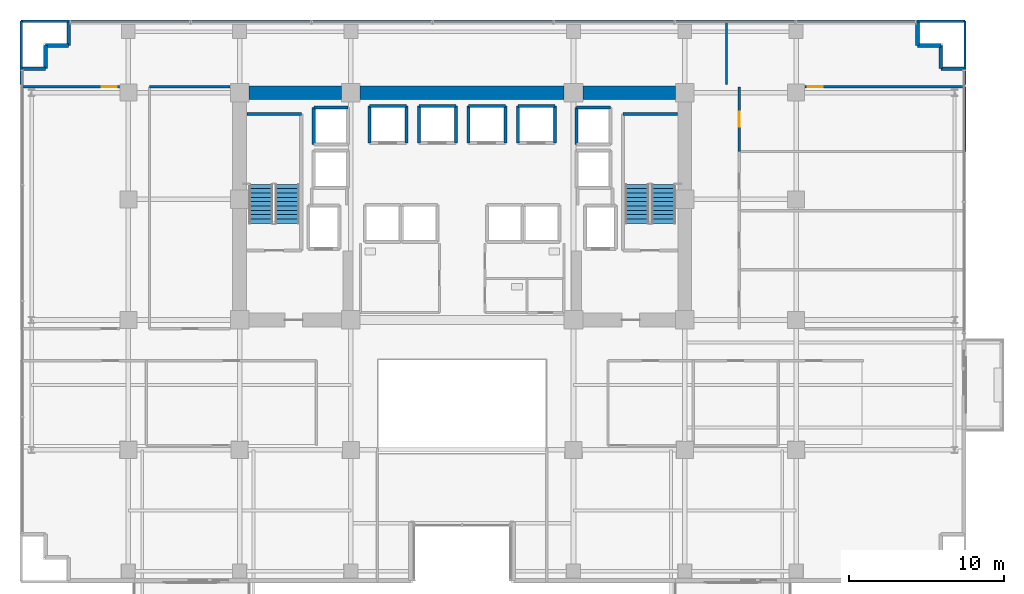
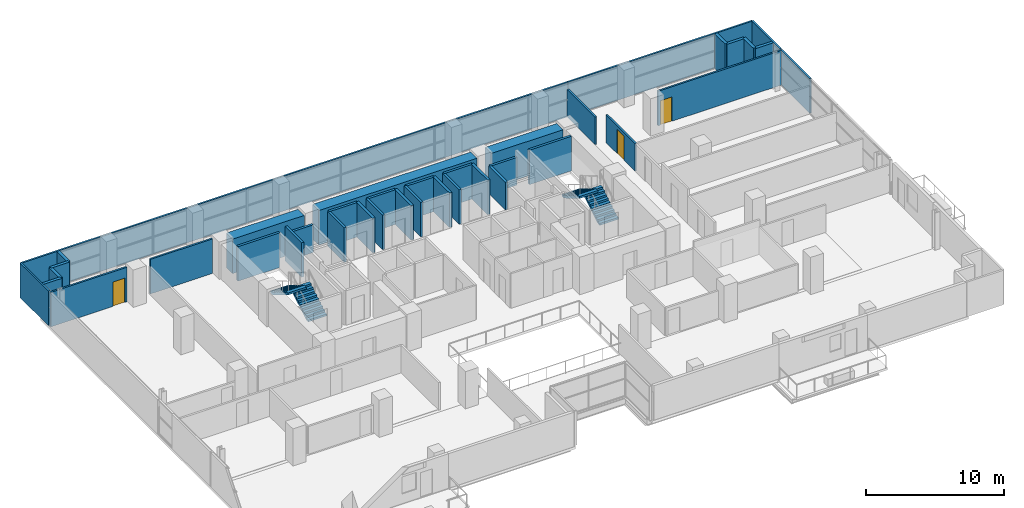
# One storey, part 22 of 27: 39 walls, 4 stair flights, 3 doors, 3 openings, 2 elements without a shape of their own.
"""IFC4 building model written with IfcOpenShell, lengths in metres."""

import ifcopenshell
import ifcopenshell.guid

model = None  # the IFC model being written
_history = None  # IfcOwnerHistory: only IFC2X3 demands one
_inside = {}  # id of a spatial element -> (the spatial element, [elements in it])
_under = {}  # id of a project, library or spatial element -> (it, [spatial elements below it])
_declared = {}  # id of a project -> (the project, [libraries it declares])
_typed = {}  # id of a type object -> (the type object, [elements of that type])
_made_of = {}  # id of a material, layer set ... -> (it, [elements and type objects made of it])


def new_model(schema):
    """Start an empty IFC model of exactly this schema.

    Asked for "IFC4X3", IfcOpenShell would pick the latest addendum, in which some entities
    have other attributes; the version numbers below select the first issue.
    IFC2X3 requires an IfcOwnerHistory on every rooted entity: one is made here for all.
    """
    global model, _history
    if schema == "IFC4X3":
        model = ifcopenshell.file(schema_version=(4, 3, 0, 0))
    else:
        model = ifcopenshell.file(schema=schema)
    _inside.clear()
    _under.clear()
    _declared.clear()
    _typed.clear()
    _made_of.clear()
    _history = None
    if model.schema == "IFC2X3":
        org = make("IfcOrganization", Name="unknown")
        user = make(
            "IfcPersonAndOrganization",
            ThePerson=make("IfcPerson", FamilyName="unknown"),
            TheOrganization=org,
        )
        app = make(
            "IfcApplication",
            ApplicationDeveloper=org,
            Version="unknown",
            ApplicationFullName="unknown",
            ApplicationIdentifier="unknown",
        )
        _history = make(
            "IfcOwnerHistory",
            OwningUser=user,
            OwningApplication=app,
            ChangeAction="ADDED",
            CreationDate=0,
        )
    return model


def make(cls, **values):
    """One entity of the class cls with the attributes given. An attribute that is None is left unset."""
    return model.create_entity(
        cls, **{name: value for name, value in values.items() if value is not None}
    )


def rooted(cls, **values):
    """An entity with a GlobalId (a new one), such as an element, a storey or a relation."""
    return make(cls, GlobalId=ifcopenshell.guid.new(), OwnerHistory=_history, **values)


def si_unit(unit_type, name, prefix=None):
    """IfcSIUnit, for example si_unit("LENGTHUNIT", "METRE", prefix="MILLI")."""
    return make("IfcSIUnit", UnitType=unit_type, Prefix=prefix, Name=name)


def assignment(units):
    """IfcUnitAssignment: the units of a project."""
    return None if units is None else make("IfcUnitAssignment", Units=units)


def point(xyz):
    """IfcCartesianPoint."""
    return None if xyz is None else make("IfcCartesianPoint", Coordinates=xyz)


def direction(xyz):
    """IfcDirection."""
    return None if xyz is None else make("IfcDirection", DirectionRatios=xyz)


def frame(location, z_axis=None, x_axis=None):
    """IfcAxis2Placement3D, a coordinate frame: its origin and axes. An axis left out is left unset."""
    return make(
        "IfcAxis2Placement3D",
        Location=point(location),
        Axis=direction(z_axis),
        RefDirection=direction(x_axis),
    )


def frame_2d(location, x_axis=None):
    """IfcAxis2Placement2D, a coordinate frame in the plane: its origin and x axis."""
    return make(
        "IfcAxis2Placement2D", Location=point(location), RefDirection=direction(x_axis)
    )


def origin():
    """The frame at (0, 0, 0) with its axes left unset."""
    return frame((0.0, 0.0, 0.0))


def place(relative_to, where):
    """IfcLocalPlacement: puts the frame where relative to a parent placement (None: the world)."""
    return make(
        "IfcLocalPlacement", PlacementRelTo=relative_to, RelativePlacement=where
    )


def context(
    kind, dimensions, precision=None, world=None, true_north=None, identifier=None
):
    """IfcGeometricRepresentationContext, for example the 3D "Model" context."""
    return make(
        "IfcGeometricRepresentationContext",
        ContextIdentifier=identifier,
        ContextType=kind,
        CoordinateSpaceDimension=dimensions,
        Precision=precision,
        WorldCoordinateSystem=world,
        TrueNorth=true_north,
    )


def subcontext(parent, identifier, kind, view, scale=None):
    """IfcGeometricRepresentationSubContext, for example "Body" below "Model"."""
    return make(
        "IfcGeometricRepresentationSubContext",
        ContextIdentifier=identifier,
        ContextType=kind,
        ParentContext=parent,
        TargetScale=scale,
        TargetView=view,
    )


def project(units=None, contexts=None):
    """IfcProject with its units and contexts."""
    return rooted(
        "IfcProject",
        Name="project",
        RepresentationContexts=contexts,
        UnitsInContext=assignment(units),
    )


def spatial(cls, under=None, at=None, **own):
    """A site, building, storey or space (cls), placed at a placement, below another one or the project."""
    s = rooted(cls, ObjectPlacement=at, **own)
    if under is not None:
        _under.setdefault(under.id(), (under, []))[1].append(s)
    return s


def polyline(points):
    """IfcPolyline through the points."""
    return make("IfcPolyline", Points=[point(p) for p in points])


def profile(cls, at=None, kind="AREA", **sizes):
    """A parametric profile (cls). Its sizes go by their IFC names, for example OverallWidth=200.0."""
    return make(cls, ProfileType=kind, Position=at, **sizes)


def rectangle(**sizes):
    """IfcRectangleProfileDef."""
    return profile("IfcRectangleProfileDef", **sizes)


def outline(outer, holes=None, kind="AREA"):
    """IfcArbitraryClosedProfileDef: a profile drawn as a closed curve; with holes, ...WithVoids."""
    if holes is None:
        return make("IfcArbitraryClosedProfileDef", ProfileType=kind, OuterCurve=outer)
    return make(
        "IfcArbitraryProfileDefWithVoids",
        ProfileType=kind,
        OuterCurve=outer,
        InnerCurves=holes,
    )


def extrude(swept, where, along, depth):
    """IfcExtrudedAreaSolid: the profile swept, set in the frame where, extruded along a direction by depth."""
    return make(
        "IfcExtrudedAreaSolid",
        SweptArea=swept,
        Position=where,
        ExtrudedDirection=direction(along),
        Depth=depth,
    )


def shape(context_of_items, identifier, shape_type, items):
    """IfcShapeRepresentation: the items that make up one representation, for example the "Body"."""
    return make(
        "IfcShapeRepresentation",
        ContextOfItems=context_of_items,
        RepresentationIdentifier=identifier,
        RepresentationType=shape_type,
        Items=items,
    )


def source(mapping_origin, context_of_items, identifier, shape_type, items):
    """IfcRepresentationMap: a shape defined once, which mapped items show again and again."""
    return make(
        "IfcRepresentationMap",
        MappingOrigin=mapping_origin,
        MappedRepresentation=shape(context_of_items, identifier, shape_type, items),
    )


def transform(
    local_origin,
    x_axis=None,
    y_axis=None,
    z_axis=None,
    scale=None,
    scale2=None,
    scale3=None,
    uniform=True,
):
    """IfcCartesianTransformationOperator3D, or its non-uniform kind. x_axis, y_axis, z_axis: its Axis1, 2, 3."""
    if uniform:
        return make(
            "IfcCartesianTransformationOperator3D",
            Axis1=direction(x_axis),
            Axis2=direction(y_axis),
            LocalOrigin=point(local_origin),
            Scale=scale,
            Axis3=direction(z_axis),
        )
    return make(
        "IfcCartesianTransformationOperator3DnonUniform",
        Axis1=direction(x_axis),
        Axis2=direction(y_axis),
        LocalOrigin=point(local_origin),
        Scale=scale,
        Axis3=direction(z_axis),
        Scale2=scale2,
        Scale3=scale3,
    )


def mapped(mapping_source, mapping_target):
    """IfcMappedItem: shows the shape of a source again, moved by a transform."""
    return make(
        "IfcMappedItem", MappingSource=mapping_source, MappingTarget=mapping_target
    )


def material(Name=None, Category=None):
    """IfcMaterial."""
    return make("IfcMaterial", Name=Name, Category=Category)


def layer(
    of_material, thickness, ventilated=None, Name=None, Category=None, Priority=None
):
    """IfcMaterialLayer: one layer of a wall or slab, of a material (None: an air gap)."""
    return make(
        "IfcMaterialLayer",
        Material=of_material,
        LayerThickness=thickness,
        IsVentilated=ventilated,
        Name=Name,
        Category=Category,
        Priority=Priority,
    )


def layer_set(layers, Name=None):
    """IfcMaterialLayerSet."""
    return make("IfcMaterialLayerSet", MaterialLayers=layers, LayerSetName=Name)


def made_of(thing, what):
    """Note that an element or type object is made of a material, layer set ...; save() writes the relation."""
    if what is not None:
        _made_of.setdefault(what.id(), (what, []))[1].append(thing)
    return thing


def type_object(cls, material=None, **own):
    """A type object (cls), such as IfcWallType, which elements share."""
    return made_of(rooted(cls, **own), material)


def element(
    cls,
    number,
    at=None,
    inside=None,
    cuts=None,
    type_object=None,
    material=None,
    context=None,
    identifier="Body",
    shape_type=None,
    held_by="IfcProductDefinitionShape",
    body=None,
    shapes=None,
    **own,
):
    """One element of the class cls, such as IfcWall. Its Tag is "e" and its number.

    at: its placement. inside: the storey or other place that contains it. cuts: it is an
    opening in that element (IfcRelVoidsElement). A single representation is given by context,
    identifier, shape_type and body (its items); several are given by shapes. held_by: the class
    of the entity that holds the representations. save() writes the other relations.
    """
    e = rooted(cls, Tag="e%d" % number, ObjectPlacement=at, **own)
    if body is not None:
        shapes = [shape(context, identifier, shape_type, body)]
    if shapes is not None:
        e.Representation = make(held_by, Representations=shapes)
    if inside is not None:
        _inside.setdefault(inside.id(), (inside, []))[1].append(e)
    if cuts is not None:
        rooted(
            "IfcRelVoidsElement", RelatingBuildingElement=cuts, RelatedOpeningElement=e
        )
    if type_object is not None:
        _typed.setdefault(type_object.id(), (type_object, []))[1].append(e)
    return made_of(e, material)


def fill(opening, filler):
    """IfcRelFillsElement: the door or window that sits in an opening."""
    return rooted(
        "IfcRelFillsElement",
        RelatingOpeningElement=opening,
        RelatedBuildingElement=filler,
    )


def aggregate(whole, parts):
    """IfcRelAggregates: a whole, such as a stair, and the parts it consists of."""
    return rooted("IfcRelAggregates", RelatingObject=whole, RelatedObjects=parts)


def save(model, path):
    """Write the relations noted so far, then the file.

    IfcRelAggregates (storeys below a building ...), IfcRelContainedInSpatialStructure (elements
    in a storey), IfcRelDefinesByType, IfcRelAssociatesMaterial and IfcRelDeclares: one each for
    every whole, place, type object, material and project.
    """
    for whole, parts in _under.values():
        aggregate(whole, parts)
    for where, things in _inside.values():
        rooted(
            "IfcRelContainedInSpatialStructure",
            RelatedElements=things,
            RelatingStructure=where,
        )
    for kind, things in _typed.values():
        rooted("IfcRelDefinesByType", RelatedObjects=things, RelatingType=kind)
    for what, things in _made_of.values():
        rooted("IfcRelAssociatesMaterial", RelatedObjects=things, RelatingMaterial=what)
    for by, libraries in _declared.values():
        rooted("IfcRelDeclares", RelatingContext=by, RelatedDefinitions=libraries)
    model.write(path)


model = new_model("IFC4")

# Units and contexts
model_context = context("Model", 3, precision=1e-05, world=origin(), true_north=direction((0.0, 1.0)))
body_context = subcontext(model_context, "Body", "Model", "MODEL_VIEW")
ifc_project = project(units=[si_unit("LENGTHUNIT", "METRE"), si_unit("AREAUNIT", "SQUARE_METRE"), si_unit("VOLUMEUNIT", "CUBIC_METRE"), si_unit("PLANEANGLEUNIT", "RADIAN"), si_unit("MASSUNIT", "GRAM", prefix="KILO")], contexts=[model_context])

# Site, building, storey
site_placement = place(None, origin())
site = spatial("IfcSite", under=ifc_project, at=site_placement, CompositionType="ELEMENT")
building_placement = place(site_placement, origin())
building = spatial("IfcBuilding", under=site, at=building_placement, Name="Zarnakvel Exchange Tower", CompositionType="ELEMENT")
storey_placement = place(building_placement, frame((0.0, 0.0, 76.89990234375)))
storey = spatial("IfcBuildingStorey", under=building, at=storey_placement, Name="L21", CompositionType="ELEMENT", Elevation=76.89990234375)

# Walls
ifc_material_1 = material(Name="Concrete C80/95", Category="concrete")
ifc_layer_1 = layer(ifc_material_1, 0.89990234375)
ifc_layer_set_1 = layer_set([ifc_layer_1], Name="Concrete C80/95")
wall_type_1 = type_object("IfcWallType", Name="CW-C1", PredefinedType="SHEAR", material=ifc_layer_set_1)
wall_1_placement = place(storey_placement, frame((-13.800048828125, 13.5, 0.0), z_axis=(0.0, 0.0, 1.0), x_axis=(1.0, 0.0, 0.0)))
element("IfcWall", 1, at=wall_1_placement, inside=storey, type_object=wall_type_1, Name="L21 Rear Core Shear Wall N1 (CW-C1)", PredefinedType="SHEAR", context=body_context, shape_type="SweptSolid", body=[
    extrude(rectangle(XDim=6.0, YDim=0.89990234375, at=frame_2d((3.0, 0.0))), origin(), (0.0, 0.0, 1.0), 3.050048828125),
])
wall_2_placement = place(storey_placement, frame((-6.60009765625, 13.5, 0.0), z_axis=(0.0, 0.0, 1.0), x_axis=(1.0, 0.0, 0.0)))
element("IfcWall", 2, at=wall_2_placement, inside=storey, type_object=wall_type_1, Name="L21 Rear Core Shear Wall N2 (CW-C1)", PredefinedType="SHEAR", context=body_context, shape_type="SweptSolid", body=[
    extrude(rectangle(XDim=13.2001953125, YDim=0.89990234375, at=frame_2d((6.60009765625, 0.0))), origin(), (0.0, 0.0, 1.0), 3.050048828125),
])
wall_3_placement = place(storey_placement, frame((7.800048828125, 13.5, 0.0), z_axis=(0.0, 0.0, 1.0), x_axis=(1.0, 0.0, 0.0)))
element("IfcWall", 3, at=wall_3_placement, inside=storey, type_object=wall_type_1, Name="L21 Rear Core Shear Wall N3 (CW-C1)", PredefinedType="SHEAR", context=body_context, shape_type="SweptSolid", body=[
    extrude(rectangle(XDim=6.0, YDim=0.89990234375, at=frame_2d((3.0, 0.0))), origin(), (0.0, 0.0, 1.0), 3.050048828125),
])
ifc_material_2 = material(Name="Precast concrete C40/50", Category="concrete")
ifc_layer_2 = layer(ifc_material_2, 0.239990234375)
ifc_layer_set_2 = layer_set([ifc_layer_2], Name="Precast concrete C40/50")
wall_type_2 = type_object("IfcWallType", Name="EW-02", PredefinedType="SOLIDWALL", material=ifc_layer_set_2)
for number, where, z_axis, x_axis, name in (
    (4, (-26.9599609375, 15.06005859375, 0.0), (0.0, 0.0, 1.0), (-1.0, 0.0, 0.0), "L21 Exterior Precast Spandrel Wall EWC-L21-01 (EW-02)"),
    (5, (-26.9599609375, 16.56005859375, 0.0), (0.0, 0.0, 1.0), (0.0, -1.0, 0.0), "L21 Exterior Precast Spandrel Wall EWC-L21-02 (EW-02)"),
    (6, (-25.4599609375, 16.56005859375, 0.0), (0.0, 0.0, 1.0), (-1.0, 0.0, 0.0), "L21 Exterior Precast Spandrel Wall EWC-L21-03 (EW-02)"),
    (7, (-25.4599609375, 18.06005859375, 0.0), (0.0, 0.0, 1.0), (0.0, -1.0, 0.0), "L21 Exterior Precast Spandrel Wall EWC-L21-04 (EW-02)"),
    (8, (29.4599609375, 16.56005859375, 0.0), (0.0, 0.0, 1.0), (0.0, 1.0, 0.0), "L21 Exterior Precast Spandrel Wall EWC-L21-05 (EW-02)"),
    (9, (30.9599609375, 16.56005859375, 0.0), (0.0, 0.0, 1.0), (-1.0, 0.0, 0.0), "L21 Exterior Precast Spandrel Wall EWC-L21-06 (EW-02)"),
    (10, (30.9599609375, 15.06005859375, 0.0), (0.0, 0.0, 1.0), (0.0, 1.0, 0.0), "L21 Exterior Precast Spandrel Wall EWC-L21-07 (EW-02)"),
    (11, (32.4599609375, 15.06005859375, 0.0), (0.0, 0.0, 1.0), (-1.0, 0.0, 0.0), "L21 Exterior Precast Spandrel Wall EWC-L21-08 (EW-02)"),
):
    element("IfcWall", number, at=place(storey_placement, frame(where, z_axis=z_axis, x_axis=x_axis)), inside=storey, type_object=wall_type_2, Name=name, PredefinedType="SOLIDWALL", context=body_context, shape_type="SweptSolid", body=[
        extrude(rectangle(XDim=1.5, YDim=0.239990234375, at=frame_2d((0.75, 0.0))), origin(), (0.0, 0.0, 1.0), 3.050048828125),
    ])

# Wall, opening, door
ifc_material_3 = material(Name="Fire-Rated Gypsum Stud Partition", Category="gypsum")
ifc_layer_3 = layer(ifc_material_3, 0.14990234375)
ifc_layer_set_3 = layer_set([ifc_layer_3], Name="Fire-Rated Gypsum Stud Partition")
wall_type_3 = type_object("IfcWallType", Name="PT-01", PredefinedType="PARTITIONING", material=ifc_layer_set_3)
wall_4_placement = place(storey_placement, frame((-28.530029296875, 13.8798828125, 0.0), z_axis=(0.0, 0.0, 1.0), x_axis=(1.0, 0.0, 0.0)))
wall_4 = element("IfcWall", 12, at=wall_4_placement, inside=storey, type_object=wall_type_3, Name="L21 Partition Wall PWALL-L21-043 (PT-01)", PredefinedType="PARTITIONING", context=body_context, shape_type="SweptSolid", body=[
    extrude(rectangle(XDim=6.360107421875, YDim=0.14990234375, at=frame_2d((3.18017578125, 0.0))), origin(), (0.0, 0.0, 1.0), 3.050048828125),
])
opening_1_placement = place(wall_4_placement, frame((5.199951171875, 0.0, 0.0)))
opening_1 = element("IfcOpeningElement", 13, at=opening_1_placement, cuts=wall_4, Name="Opening D-L21-22", PredefinedType="OPENING", context=body_context, shape_type="SweptSolid", body=[
    extrude(rectangle(XDim=0.97998046875, YDim=2.14990234375, at=frame_2d((0.489990234375, 1.074951171875))), frame((0.0, 0.0849609375, 0.0), z_axis=(0.0, -1.0, 0.0), x_axis=(1.0, 0.0, 0.0)), (0.0, 0.0, 1.0), 0.169921875),
])
ifc_material_4 = material(Name="Timber Acoustic Veneer", Category="wood")
door_type = type_object("IfcDoorType", Name="DT-05", OperationType="NOTDEFINED", PredefinedType="DOOR", material=ifc_material_4)
shared_shape = source(origin(), body_context, "Body", "SweptSolid", [
    extrude(rectangle(XDim=0.97998046875, YDim=2.14990234375, at=frame_2d((0.489990234375, 1.074951171875))), frame((0.0, 0.02490234375, 0.0), z_axis=(0.0, -1.0, 0.0), x_axis=(1.0, 0.0, 0.0)), (0.0, 0.0, 1.0), 0.050048828125),
])
door_1_placement = place(opening_1_placement, origin())
door_1 = element("IfcDoor", 14, at=door_1_placement, inside=storey, type_object=door_type, Name="L21 Legal Records Office Door D-L21-22", OperationType="SINGLE_SWING_LEFT", OverallHeight=2.14990234375, OverallWidth=0.97998046875, PredefinedType="DOOR", context=body_context, shape_type="MappedRepresentation", body=[
    mapped(shared_shape, transform((0.0, 0.0, 0.0), x_axis=(1.0, 0.0, 0.0), y_axis=(0.0, 1.0, 0.0), z_axis=(0.0, 0.0, 1.0), scale=1.0)),
])
fill(opening_1, door_1)

# Wall
wall_5_placement = place(storey_placement, frame((-20.222412109375, 13.8798828125, 0.0), z_axis=(0.0, 0.0, 1.0), x_axis=(1.0, 0.0, 0.0)))
element("IfcWall", 15, at=wall_5_placement, inside=storey, type_object=wall_type_3, Name="L21 Partition Wall PWALL-L21-047 (PT-01)", PredefinedType="PARTITIONING", context=body_context, shape_type="SweptSolid", body=[
    extrude(rectangle(XDim=5.202392578125, YDim=0.14990234375, at=frame_2d((2.60107421875, 0.0))), origin(), (0.0, 0.0, 1.0), 3.050048828125),
])

# Wall, opening, door
wall_6_placement = place(storey_placement, frame((22.169921875, 13.8798828125, 0.0), z_axis=(0.0, 0.0, 1.0), x_axis=(1.0, 0.0, 0.0)))
wall_6 = element("IfcWall", 16, at=wall_6_placement, inside=storey, type_object=wall_type_3, Name="L21 Partition Wall PWALL-L21-058 (PT-01)", PredefinedType="PARTITIONING", context=body_context, shape_type="SweptSolid", body=[
    extrude(rectangle(XDim=10.360107421875, YDim=0.14990234375, at=frame_2d((5.18017578125, 0.0))), origin(), (0.0, 0.0, 1.0), 3.050048828125),
])
opening_2_placement = place(wall_6_placement, frame((0.179931640625, 0.0, 0.0)))
opening_2 = element("IfcOpeningElement", 17, at=opening_2_placement, cuts=wall_6, Name="Opening D-L21-23", PredefinedType="OPENING", context=body_context, shape_type="SweptSolid", body=[
    extrude(rectangle(XDim=0.97998046875, YDim=2.14990234375, at=frame_2d((0.489990234375, 1.074951171875))), frame((0.0, 0.0849609375, 0.0), z_axis=(0.0, -1.0, 0.0), x_axis=(1.0, 0.0, 0.0)), (0.0, 0.0, 1.0), 0.169921875),
])
door_2_placement = place(opening_2_placement, origin())
door_2 = element("IfcDoor", 18, at=door_2_placement, inside=storey, type_object=door_type, Name="L21 Client Advisory Suite Door D-L21-23", OperationType="SINGLE_SWING_RIGHT", OverallHeight=2.14990234375, OverallWidth=0.97998046875, PredefinedType="DOOR", context=body_context, shape_type="MappedRepresentation", body=[
    mapped(shared_shape, transform((0.0, 0.0, 0.0), x_axis=(1.0, 0.0, 0.0), y_axis=(0.0, 1.0, 0.0), z_axis=(0.0, 0.0, 1.0), scale=1.0)),
])
fill(opening_2, door_2)

wall_7_placement = place(storey_placement, frame((17.929931640625, 9.693115234375, 0.0), z_axis=(0.0, 0.0, 1.0), x_axis=(0.0, 1.0, 0.0)))
wall_7 = element("IfcWall", 19, at=wall_7_placement, inside=storey, type_object=wall_type_3, Name="L21 Partition Wall PWALL-L21-059 (PT-01)", PredefinedType="PARTITIONING", context=body_context, shape_type="SweptSolid", body=[
    extrude(rectangle(XDim=4.186767578125, YDim=0.14990234375, at=frame_2d((2.09326171875, 0.0))), origin(), (0.0, 0.0, 1.0), 2.440185546875),
])
opening_3_placement = place(wall_7_placement, frame((1.60400390625, 0.0, 0.0)))
opening_3 = element("IfcOpeningElement", 20, at=opening_3_placement, cuts=wall_7, Name="Opening D-L21-21", PredefinedType="OPENING", context=body_context, shape_type="SweptSolid", body=[
    extrude(rectangle(XDim=0.97998046875, YDim=2.14990234375, at=frame_2d((0.489990234375, 1.074951171875))), frame((0.0, 0.0849609375, 0.0), z_axis=(0.0, -1.0, 0.0), x_axis=(1.0, 0.0, 0.0)), (0.0, 0.0, 1.0), 0.169921875),
])
door_3_placement = place(opening_3_placement, origin())
door_3 = element("IfcDoor", 21, at=door_3_placement, inside=storey, type_object=door_type, Name="L21 Sovereign Wealth Office Door D-L21-21", OperationType="SINGLE_SWING_RIGHT", OverallHeight=2.14990234375, OverallWidth=0.97998046875, PredefinedType="DOOR", context=body_context, shape_type="MappedRepresentation", body=[
    mapped(shared_shape, transform((0.0, 0.0, 0.0), x_axis=(1.0, 0.0, 0.0), y_axis=(0.0, 1.0, 0.0), z_axis=(0.0, 0.0, 1.0), scale=1.0)),
])
fill(opening_3, door_3)

# Walls
wall_8_placement = place(storey_placement, frame((32.530029296875, 13.8798828125, 0.0), z_axis=(0.0, 0.0, 1.0), x_axis=(0.0, -1.0, 0.0)))
element("IfcWall", 22, at=wall_8_placement, inside=storey, type_object=wall_type_3, Name="L21 Partition Wall PWALL-L21-060 (PT-01)", PredefinedType="PARTITIONING", context=body_context, shape_type="SweptSolid", body=[
    extrude(rectangle(XDim=4.186767578125, YDim=0.14990234375, at=frame_2d((2.09326171875, 0.0))), origin(), (0.0, 0.0, 1.0), 3.050048828125),
])
wall_9_placement = place(storey_placement, frame((-28.530029296875, 18.1298828125, 0.0), z_axis=(0.0, 0.0, 1.0), x_axis=(1.0, 0.0, 0.0)))
element("IfcWall", 23, at=wall_9_placement, inside=storey, type_object=wall_type_3, Name="L21 Partition Wall PWALL-L21-061 (PT-01)", PredefinedType="PARTITIONING", context=body_context, shape_type="SweptSolid", body=[
    extrude(rectangle(XDim=45.630126953125, YDim=0.14990234375, at=frame_2d((22.81494140625, 0.0))), origin(), (0.0, 0.0, 1.0), 3.050048828125),
])
wall_10_placement = place(storey_placement, frame((-28.530029296875, 14.030029296875, 0.0), z_axis=(0.0, 0.0, 1.0), x_axis=(0.0, 1.0, 0.0)))
element("IfcWall", 24, at=wall_10_placement, inside=storey, type_object=wall_type_3, Name="L21 Partition Wall PWALL-L21-062 (PT-01)", PredefinedType="PARTITIONING", context=body_context, shape_type="SweptSolid", body=[
    extrude(rectangle(XDim=4.099853515625, YDim=0.14990234375, at=frame_2d((2.0498046875, 0.0))), origin(), (0.0, 0.0, 1.0), 3.050048828125),
])
wall_11_placement = place(storey_placement, frame((17.10009765625, 18.1298828125, 0.0), z_axis=(0.0, 0.0, 1.0), x_axis=(0.0, -1.0, 0.0)))
element("IfcWall", 25, at=wall_11_placement, inside=storey, type_object=wall_type_3, Name="L21 Partition Wall PWALL-L21-063 (PT-01)", PredefinedType="PARTITIONING", context=body_context, shape_type="SweptSolid", body=[
    extrude(rectangle(XDim=4.099853515625, YDim=0.14990234375, at=frame_2d((2.0498046875, 0.0))), origin(), (0.0, 0.0, 1.0), 2.440185546875),
])
wall_12_placement = place(storey_placement, frame((17.10009765625, 18.1298828125, 0.0), z_axis=(0.0, 0.0, 1.0), x_axis=(1.0, 0.0, 0.0)))
element("IfcWall", 26, at=wall_12_placement, inside=storey, type_object=wall_type_3, Name="L21 Partition Wall PWALL-L21-064 (PT-01)", PredefinedType="PARTITIONING", context=body_context, shape_type="SweptSolid", body=[
    extrude(rectangle(XDim=15.429931640625, YDim=0.14990234375, at=frame_2d((7.71484375, 0.0))), origin(), (0.0, 0.0, 1.0), 3.050048828125),
])
wall_13_placement = place(storey_placement, frame((32.530029296875, 18.1298828125, 0.0), z_axis=(0.0, 0.0, 1.0), x_axis=(0.0, -1.0, 0.0)))
element("IfcWall", 27, at=wall_13_placement, inside=storey, type_object=wall_type_3, Name="L21 Partition Wall PWALL-L21-065 (PT-01)", PredefinedType="PARTITIONING", context=body_context, shape_type="SweptSolid", body=[
    extrude(rectangle(XDim=4.099853515625, YDim=0.14990234375, at=frame_2d((2.0498046875, 0.0))), origin(), (0.0, 0.0, 1.0), 3.050048828125),
])
ifc_material_5 = material(Name="Concrete C40/50", Category="concrete")
ifc_layer_4 = layer(ifc_material_5, 0.199951171875)
ifc_layer_set_4 = layer_set([ifc_layer_4], Name="Concrete C40/50")
wall_type_4 = type_object("IfcWallType", Name="SW-01", PredefinedType="SOLIDWALL", material=ifc_layer_set_4)
for number, where, z_axis, x_axis, name in (
    (28, (-6.0, 12.64990234375, 0.0), (0.0, 0.0, 1.0), (1.0, 0.0, 0.0), "L21 PL-01 Hoistway Wall North"),
    (29, (-6.0, 10.25, 0.0), (0.0, 0.0, 1.0), (0.0, 1.0, 0.0), "L21 PL-01 Hoistway Wall West"),
    (30, (-3.60009765625, 12.64990234375, 0.0), (0.0, 0.0, 1.0), (0.0, -1.0, 0.0), "L21 PL-01 Hoistway Wall East"),
):
    element("IfcWall", number, at=place(storey_placement, frame(where, z_axis=z_axis, x_axis=x_axis)), inside=storey, type_object=wall_type_4, Name=name, PredefinedType="SOLIDWALL", context=body_context, shape_type="SweptSolid", body=[
        extrude(rectangle(XDim=2.39990234375, YDim=0.199951171875, at=frame_2d((1.199951171875, 0.0))), origin(), (0.0, 0.0, 1.0), 3.050048828125),
    ])
wall_14_placement = place(storey_placement, frame((-2.800048828125, 12.64990234375, 0.0), z_axis=(0.0, 0.0, 1.0), x_axis=(1.0, 0.0, 0.0)))
element("IfcWall", 31, at=wall_14_placement, inside=storey, type_object=wall_type_4, Name="L21 PL-02 Hoistway Wall North", PredefinedType="SOLIDWALL", context=body_context, shape_type="SweptSolid", body=[
    extrude(rectangle(XDim=2.400146484375, YDim=0.199951171875, at=frame_2d((1.2001953125, 0.0))), origin(), (0.0, 0.0, 1.0), 3.050048828125),
])
for number, where, z_axis, x_axis, name in (
    (32, (-2.800048828125, 10.25, 0.0), (0.0, 0.0, 1.0), (0.0, 1.0, 0.0), "L21 PL-02 Hoistway Wall West"),
    (33, (-0.39990234375, 12.64990234375, 0.0), (0.0, 0.0, 1.0), (0.0, -1.0, 0.0), "L21 PL-02 Hoistway Wall East"),
):
    element("IfcWall", number, at=place(storey_placement, frame(where, z_axis=z_axis, x_axis=x_axis)), inside=storey, type_object=wall_type_4, Name=name, PredefinedType="SOLIDWALL", context=body_context, shape_type="SweptSolid", body=[
        extrude(rectangle(XDim=2.39990234375, YDim=0.199951171875, at=frame_2d((1.199951171875, 0.0))), origin(), (0.0, 0.0, 1.0), 3.050048828125),
    ])
wall_15_placement = place(storey_placement, frame((0.39990234375, 12.64990234375, 0.0), z_axis=(0.0, 0.0, 1.0), x_axis=(1.0, 0.0, 0.0)))
element("IfcWall", 34, at=wall_15_placement, inside=storey, type_object=wall_type_4, Name="L21 PL-03 Hoistway Wall North", PredefinedType="SOLIDWALL", context=body_context, shape_type="SweptSolid", body=[
    extrude(rectangle(XDim=2.400146484375, YDim=0.199951171875, at=frame_2d((1.2001953125, 0.0))), origin(), (0.0, 0.0, 1.0), 3.050048828125),
])
for number, where, z_axis, x_axis, name in (
    (35, (0.39990234375, 10.25, 0.0), (0.0, 0.0, 1.0), (0.0, 1.0, 0.0), "L21 PL-03 Hoistway Wall West"),
    (36, (2.800048828125, 12.64990234375, 0.0), (0.0, 0.0, 1.0), (0.0, -1.0, 0.0), "L21 PL-03 Hoistway Wall East"),
    (37, (3.60009765625, 12.64990234375, 0.0), (0.0, 0.0, 1.0), (1.0, 0.0, 0.0), "L21 PL-04 Hoistway Wall North"),
    (38, (3.60009765625, 10.25, 0.0), (0.0, 0.0, 1.0), (0.0, 1.0, 0.0), "L21 PL-04 Hoistway Wall West"),
    (39, (6.0, 12.64990234375, 0.0), (0.0, 0.0, 1.0), (0.0, -1.0, 0.0), "L21 PL-04 Hoistway Wall East"),
):
    element("IfcWall", number, at=place(storey_placement, frame(where, z_axis=z_axis, x_axis=x_axis)), inside=storey, type_object=wall_type_4, Name=name, PredefinedType="SOLIDWALL", context=body_context, shape_type="SweptSolid", body=[
        extrude(rectangle(XDim=2.39990234375, YDim=0.199951171875, at=frame_2d((1.199951171875, 0.0))), origin(), (0.0, 0.0, 1.0), 3.050048828125),
    ])
wall_16_placement = place(storey_placement, frame((-9.60009765625, 12.550048828125, 0.0), z_axis=(0.0, 0.0, 1.0), x_axis=(1.0, 0.0, 0.0)))
element("IfcWall", 40, at=wall_16_placement, inside=storey, type_object=wall_type_4, Name="L21 PL-10 Hoistway Wall North", PredefinedType="SOLIDWALL", context=body_context, shape_type="SweptSolid", body=[
    extrude(rectangle(XDim=2.2001953125, YDim=0.199951171875, at=frame_2d((1.10009765625, 0.0))), origin(), (0.0, 0.0, 1.0), 2.440185546875),
])
wall_17_placement = place(storey_placement, frame((-9.60009765625, 10.14990234375, 0.0), z_axis=(0.0, 0.0, 1.0), x_axis=(0.0, 1.0, 0.0)))
element("IfcWall", 41, at=wall_17_placement, inside=storey, type_object=wall_type_4, Name="L21 PL-10 Hoistway Wall West", PredefinedType="SOLIDWALL", context=body_context, shape_type="SweptSolid", body=[
    extrude(rectangle(XDim=2.400146484375, YDim=0.199951171875, at=frame_2d((1.2001953125, 0.0))), origin(), (0.0, 0.0, 1.0), 3.050048828125),
])
wall_18_placement = place(storey_placement, frame((7.39990234375, 12.550048828125, 0.0), z_axis=(0.0, 0.0, 1.0), x_axis=(1.0, 0.0, 0.0)))
element("IfcWall", 42, at=wall_18_placement, inside=storey, type_object=wall_type_4, Name="L21 PL-12 Hoistway Wall North", PredefinedType="SOLIDWALL", context=body_context, shape_type="SweptSolid", body=[
    extrude(rectangle(XDim=2.2001953125, YDim=0.199951171875, at=frame_2d((1.10009765625, 0.0))), origin(), (0.0, 0.0, 1.0), 2.440185546875),
])
wall_19_placement = place(storey_placement, frame((7.39990234375, 10.14990234375, 0.0), z_axis=(0.0, 0.0, 1.0), x_axis=(0.0, 1.0, 0.0)))
element("IfcWall", 43, at=wall_19_placement, inside=storey, type_object=wall_type_4, Name="L21 PL-12 Hoistway Wall West", PredefinedType="SOLIDWALL", context=body_context, shape_type="SweptSolid", body=[
    extrude(rectangle(XDim=2.400146484375, YDim=0.199951171875, at=frame_2d((1.2001953125, 0.0))), origin(), (0.0, 0.0, 1.0), 2.440185546875),
])
ifc_layer_5 = layer(ifc_material_5, 0.199951171875)
ifc_layer_set_5 = layer_set([ifc_layer_5], Name="Concrete C40/50")
wall_type_5 = type_object("IfcWallType", Name="SW-02", PredefinedType="SOLIDWALL", material=ifc_layer_set_5)
for number, where, z_axis, x_axis, name in (
    (44, (-13.929931640625, 12.1298828125, 0.0), (0.0, 0.0, 1.0), (1.0, 0.0, 0.0), "L21 Stairwell Core Wall PWALL-L21-002 (SW-02)"),
    (45, (10.409912109375, 12.1298828125, 0.0), (0.0, 0.0, 1.0), (1.0, 0.0, 0.0), "L21 Stairwell Core Wall PWALL-L21-005 (SW-02)"),
):
    element("IfcWall", number, at=place(storey_placement, frame(where, z_axis=z_axis, x_axis=x_axis)), inside=storey, type_object=wall_type_5, Name=name, PredefinedType="SOLIDWALL", context=body_context, shape_type="SweptSolid", body=[
        extrude(rectangle(XDim=3.52001953125, YDim=0.199951171875, at=frame_2d((1.760009765625, 0.0))), origin(), (0.0, 0.0, 1.0), 3.050048828125),
    ])

# Stair, stair flights
stair_type = type_object("IfcStairType", Name="STR-01", PredefinedType="HALF_TURN_STAIR", material=ifc_material_5)
stair_1_placement = place(storey_placement, origin())
stair_1 = element("IfcStair", 46, at=stair_1_placement, inside=storey, type_object=stair_type, Name="L21 Protected Core Exit Stair ST-01", PredefinedType="HALF_TURN_STAIR")
stair_flight_type = type_object("IfcStairFlightType", Name="FLT-01", PredefinedType="STRAIGHT", material=ifc_material_5)
stair_flight_1_placement = place(storey_placement, frame((-11.31494140625, 5.050048828125, 0.0), z_axis=(0.0, 0.0, 1.0), x_axis=(0.0, 1.0, 0.0)))
stair_flight_1 = element("IfcStairFlight", 47, at=stair_flight_1_placement, type_object=stair_flight_type, Name="ST-01 flight 1", NumberOfRisers=10, NumberOfTreads=9, PredefinedType="STRAIGHT", RiserHeight=0.165, TreadLength=0.28, context=body_context, shape_type="SweptSolid", body=[
    extrude(outline(polyline([(0.0, 0.0), (0.0, 0.1650390625), (0.280029296875, 0.1650390625), (0.280029296875, 0.330078125), (0.56005859375, 0.330078125), (0.56005859375, 0.4951171875), (0.840087890625, 0.4951171875), (0.840087890625, 0.659912109375), (1.1201171875, 0.659912109375), (1.1201171875, 0.824951171875), (1.39990234375, 0.824951171875), (1.39990234375, 0.989990234375), (1.679931640625, 0.989990234375), (1.679931640625, 1.155029296875), (1.9599609375, 1.155029296875), (1.9599609375, 1.320068359375), (2.239990234375, 1.320068359375), (2.239990234375, 1.485107421875), (2.52001953125, 1.485107421875), (2.52001953125, 1.64990234375), (2.52001953125, 1.31103515625), (0.295166015625, 0.0), (0.0, 0.0)])), frame((0.0, 0.77490234375, 0.0), z_axis=(0.0, -1.0, 0.0), x_axis=(1.0, 0.0, 0.0)), (0.0, 0.0, 1.0), 1.550048828125),
])
stair_flight_2_placement = place(storey_placement, frame((-13.02490234375, 7.570068359375, 1.650146484375), z_axis=(0.0, 0.0, 1.0), x_axis=(0.0, -1.0, 0.0)))
stair_flight_2 = element("IfcStairFlight", 48, at=stair_flight_2_placement, type_object=stair_flight_type, Name="ST-01 flight 2", NumberOfRisers=10, NumberOfTreads=9, PredefinedType="STRAIGHT", RiserHeight=0.165, TreadLength=0.28, context=body_context, shape_type="SweptSolid", body=[
    extrude(outline(polyline([(0.0, 0.0), (0.0, 0.1650390625), (0.280029296875, 0.1650390625), (0.280029296875, 0.330078125), (0.56005859375, 0.330078125), (0.56005859375, 0.4951171875), (0.840087890625, 0.4951171875), (0.840087890625, 0.659912109375), (1.1201171875, 0.659912109375), (1.1201171875, 0.824951171875), (1.39990234375, 0.824951171875), (1.39990234375, 0.989990234375), (1.679931640625, 0.989990234375), (1.679931640625, 1.155029296875), (1.9599609375, 1.155029296875), (1.9599609375, 1.320068359375), (2.239990234375, 1.320068359375), (2.239990234375, 1.485107421875), (2.52001953125, 1.485107421875), (2.52001953125, 1.64990234375), (2.52001953125, 1.31103515625), (0.295166015625, 0.0), (0.0, 0.0)])), frame((0.0, 0.77490234375, 0.0), z_axis=(0.0, -1.0, 0.0), x_axis=(1.0, 0.0, 0.0)), (0.0, 0.0, 1.0), 1.550048828125),
])
aggregate(stair_1, [stair_flight_1, stair_flight_2])

stair_2_placement = place(storey_placement, origin())
stair_2 = element("IfcStair", 49, at=stair_2_placement, inside=storey, type_object=stair_type, Name="L21 Protected Core Exit Stair ST-02", PredefinedType="HALF_TURN_STAIR")
stair_flight_3_placement = place(storey_placement, frame((13.02490234375, 5.050048828125, 0.0), z_axis=(0.0, 0.0, 1.0), x_axis=(0.0, 1.0, 0.0)))
stair_flight_3 = element("IfcStairFlight", 50, at=stair_flight_3_placement, type_object=stair_flight_type, Name="ST-02 flight 1", NumberOfRisers=10, NumberOfTreads=9, PredefinedType="STRAIGHT", RiserHeight=0.165, TreadLength=0.28, context=body_context, shape_type="SweptSolid", body=[
    extrude(outline(polyline([(0.0, 0.0), (0.0, 0.1650390625), (0.280029296875, 0.1650390625), (0.280029296875, 0.330078125), (0.56005859375, 0.330078125), (0.56005859375, 0.4951171875), (0.840087890625, 0.4951171875), (0.840087890625, 0.659912109375), (1.1201171875, 0.659912109375), (1.1201171875, 0.824951171875), (1.39990234375, 0.824951171875), (1.39990234375, 0.989990234375), (1.679931640625, 0.989990234375), (1.679931640625, 1.155029296875), (1.9599609375, 1.155029296875), (1.9599609375, 1.320068359375), (2.239990234375, 1.320068359375), (2.239990234375, 1.485107421875), (2.52001953125, 1.485107421875), (2.52001953125, 1.64990234375), (2.52001953125, 1.31103515625), (0.295166015625, 0.0), (0.0, 0.0)])), frame((0.0, 0.77490234375, 0.0), z_axis=(0.0, -1.0, 0.0), x_axis=(1.0, 0.0, 0.0)), (0.0, 0.0, 1.0), 1.550048828125),
])
stair_flight_4_placement = place(storey_placement, frame((11.31494140625, 7.570068359375, 1.650146484375), z_axis=(0.0, 0.0, 1.0), x_axis=(0.0, -1.0, 0.0)))
stair_flight_4 = element("IfcStairFlight", 51, at=stair_flight_4_placement, type_object=stair_flight_type, Name="ST-02 flight 2", NumberOfRisers=10, NumberOfTreads=9, PredefinedType="STRAIGHT", RiserHeight=0.165, TreadLength=0.28, context=body_context, shape_type="SweptSolid", body=[
    extrude(outline(polyline([(0.0, 0.0), (0.0, 0.1650390625), (0.280029296875, 0.1650390625), (0.280029296875, 0.330078125), (0.56005859375, 0.330078125), (0.56005859375, 0.4951171875), (0.840087890625, 0.4951171875), (0.840087890625, 0.659912109375), (1.1201171875, 0.659912109375), (1.1201171875, 0.824951171875), (1.39990234375, 0.824951171875), (1.39990234375, 0.989990234375), (1.679931640625, 0.989990234375), (1.679931640625, 1.155029296875), (1.9599609375, 1.155029296875), (1.9599609375, 1.320068359375), (2.239990234375, 1.320068359375), (2.239990234375, 1.485107421875), (2.52001953125, 1.485107421875), (2.52001953125, 1.64990234375), (2.52001953125, 1.31103515625), (0.295166015625, 0.0), (0.0, 0.0)])), frame((0.0, 0.77490234375, 0.0), z_axis=(0.0, -1.0, 0.0), x_axis=(1.0, 0.0, 0.0)), (0.0, 0.0, 1.0), 1.550048828125),
])
aggregate(stair_2, [stair_flight_3, stair_flight_4])

save(model, "model.ifc")
